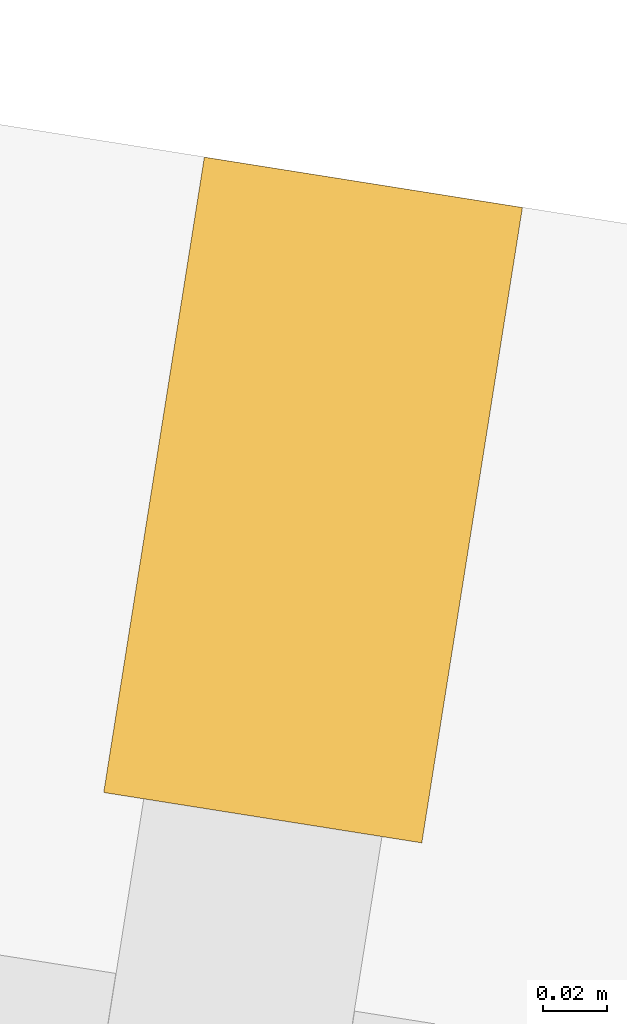
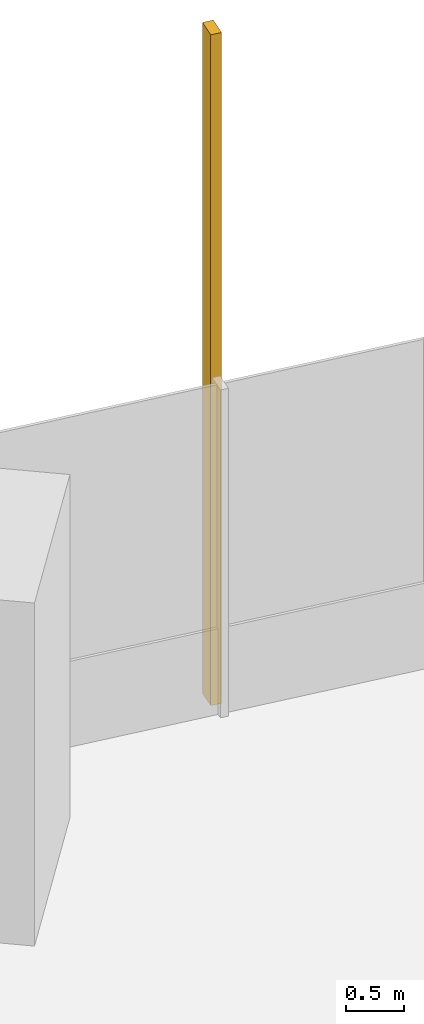
# One storey, part 19 of 22: 1 shading device.
"""IFC4 building model written with IfcOpenShell, lengths in metres."""

from ifc_helpers import new_model, si_unit, direction, frame, origin, origin_2d, place, context, subcontext, project, spatial, rectangle, extrude, source, transform, mapped, material, element, save


model = new_model("IFC4")

# Units and contexts
model_context = context("Model", 3, precision=1e-05, world=origin(), true_north=direction((0.0, 1.0)))
body_context = subcontext(model_context, "Body", "Model", "MODEL_VIEW")
ifc_project = project(units=[si_unit("LENGTHUNIT", "METRE"), si_unit("AREAUNIT", "SQUARE_METRE"), si_unit("VOLUMEUNIT", "CUBIC_METRE"), si_unit("PLANEANGLEUNIT", "RADIAN"), si_unit("MASSUNIT", "GRAM", prefix="KILO")], contexts=[model_context])

# Site, building, storey
site_placement = place(None, origin())
site = spatial("IfcSite", under=ifc_project, at=site_placement, CompositionType="ELEMENT")
building_placement = place(site_placement, origin())
building = spatial("IfcBuilding", under=site, at=building_placement, Name="Triune Harvest Tower", CompositionType="ELEMENT")
storey_placement = place(building_placement, frame((0.0, 0.0, 153.300048828125)))
storey = spatial("IfcBuildingStorey", under=building, at=storey_placement, Name="L39", CompositionType="ELEMENT", Elevation=153.300048828125)

# Shading device
ifc_material = material(Name="Aluminium bronze anodised", Category="aluminium")
shared_shape = source(origin(), body_context, "Body", "SweptSolid", [
    extrude(rectangle(XDim=0.10009765625, YDim=0.199951171875, at=origin_2d()), origin(), (0.0, 0.0, 1.0), 7.0400390625),
])
shading_device_placement = place(storey_placement, frame((3.24365234375, 32.7041015625, 0.0), z_axis=(0.0, 0.0, 1.0), x_axis=(-0.987688615663, 0.156432728322, 0.0)))
element("IfcShadingDevice", 1, at=shading_device_placement, inside=storey, material=ifc_material, Name="FN-1 fin B4-F2.3 L39", ObjectType="FIN", PredefinedType="USERDEFINED", context=body_context, shape_type="MappedRepresentation", body=[
    mapped(shared_shape, transform((0.0, 0.0, 0.0), scale=1.0)),
])

save(model, "model.ifc")
